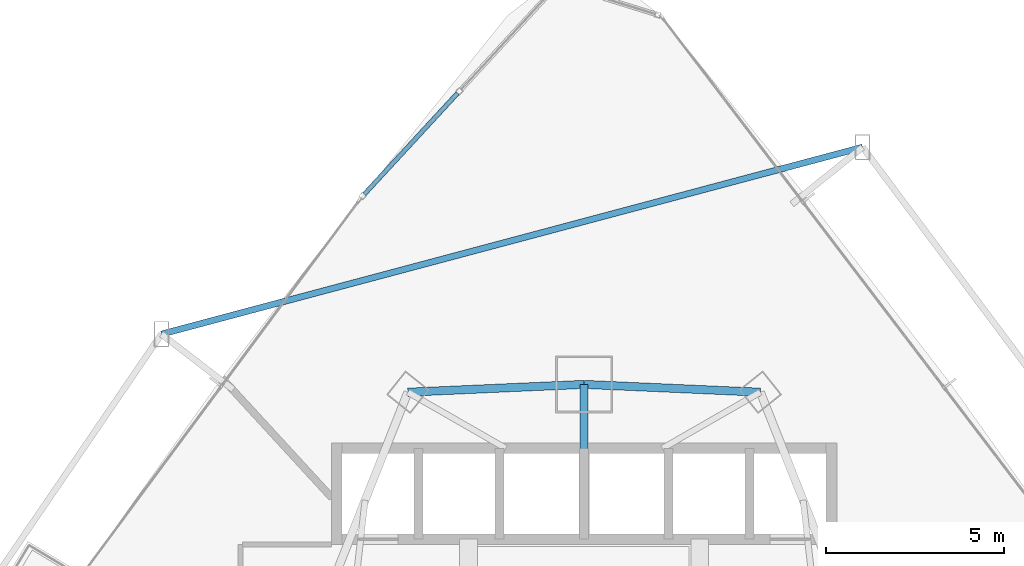
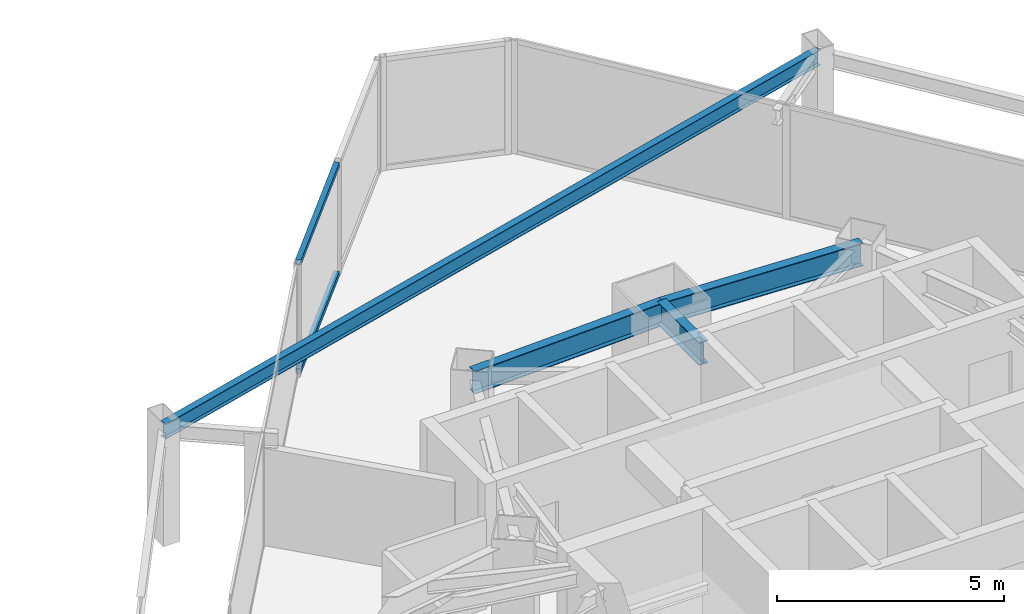
# One storey, part 24 of 35: 4 beams, 2 members, 1 element without a shape of its own.
"""IFC4 building model written with IfcOpenShell, lengths in metres."""

from ifc_helpers import new_model, si_unit, direction, frame, origin, origin_2d, place, context, subcontext, project, spatial, hollow_rectangle, i_section, extrude, material, layer, layer_set, material_profile, profile_set, type_object, element, aggregate, save


model = new_model("IFC4")

# Units and contexts
model_context = context("Model", 3, precision=1e-05, world=origin(), true_north=direction((0.0, 1.0)))
body_context = subcontext(model_context, "Body", "Model", "MODEL_VIEW")
ifc_project = project(units=[si_unit("LENGTHUNIT", "METRE"), si_unit("AREAUNIT", "SQUARE_METRE"), si_unit("VOLUMEUNIT", "CUBIC_METRE"), si_unit("PLANEANGLEUNIT", "RADIAN"), si_unit("MASSUNIT", "GRAM", prefix="KILO")], contexts=[model_context])

# Site, building, storey
site_placement = place(None, origin())
site = spatial("IfcSite", under=ifc_project, at=site_placement, CompositionType="ELEMENT")
building_placement = place(site_placement, origin())
building = spatial("IfcBuilding", under=site, at=building_placement, Name="Orvanel Arch Residences", CompositionType="ELEMENT")
storey_placement = place(building_placement, frame((0.0, 0.0, 26.89990234375)))
storey = spatial("IfcBuildingStorey", under=building, at=storey_placement, Name="L06", CompositionType="ELEMENT", Elevation=26.89990234375)

# Beams
ifc_material_1 = material(Name="Structural steel AS/NZS 3679.1 Grade 300 (300 MPa)", Category="steel")
ifc_material_profile_1 = material_profile(ifc_material_1, i_section(OverallWidth=0.22900390625, OverallDepth=0.612060546875, WebThickness=0.011962890625, FlangeThickness=0.01953125, at=origin_2d()), Name="610UB125")
ifc_profile_set_1 = profile_set([ifc_material_profile_1], Name="Structural steel AS/NZS 3679.1 Grade 300 (300 MPa)")
beam_type_1 = type_object("IfcBeamType", Name="BG-610UB", PredefinedType="BEAM", material=ifc_profile_set_1)
beam_1_placement = place(storey_placement, frame((33.0, 39.550048828125, 2.754150390625), z_axis=(0.0, 1.0, 0.0), x_axis=(-1.0, 0.0, 0.0)))
element("IfcBeam", 1, at=beam_1_placement, inside=storey, type_object=beam_type_1, Name="L06 North Radial Girder", PredefinedType="BEAM", context=body_context, shape_type="SweptSolid", body=[
    extrude(i_section(OverallWidth=0.22900390625, OverallDepth=0.612060546875, WebThickness=0.011962890625, FlangeThickness=0.01953125, at=origin_2d()), origin(), (0.0, 0.0, 1.0), 1.847900390625),
])
ifc_material_profile_2 = material_profile(ifc_material_1, i_section(OverallWidth=0.177978515625, OverallDepth=0.406005859375, WebThickness=0.0078125, FlangeThickness=0.0126953125, at=origin_2d()), Name="410UB59.7")
ifc_profile_set_2 = profile_set([ifc_material_profile_2], Name="Structural steel AS/NZS 3679.1 Grade 300 (300 MPa)")
beam_type_2 = type_object("IfcBeamType", Name="OB-410UB-EXT", PredefinedType="SPANDREL", material=ifc_profile_set_2)
beam_2_placement = place(storey_placement, frame((40.822021484375, 48.05908203125, 2.857177734375), z_axis=(-0.966259586546, -0.257570206754, 0.0), x_axis=(0.257570206754, -0.966259586546, 0.0)))
element("IfcBeam", 2, at=beam_2_placement, inside=storey, type_object=beam_type_2, Name="L06 Outer Perimeter Floor Ring Beam 12", PredefinedType="SPANDREL", context=body_context, shape_type="SweptSolid", body=[
    extrude(i_section(OverallWidth=0.177978515625, OverallDepth=0.406005859375, WebThickness=0.0078125, FlangeThickness=0.0126953125, at=origin_2d()), origin(), (0.0, 0.0, 1.0), 20.3828125),
])
ifc_material_profile_3 = material_profile(ifc_material_1, i_section(OverallWidth=0.22900390625, OverallDepth=0.612060546875, WebThickness=0.011962890625, FlangeThickness=0.01953125, at=origin_2d()), Name="610UB125")
ifc_profile_set_3 = profile_set([ifc_material_profile_3], Name="Structural steel AS/NZS 3679.1 Grade 300 (300 MPa)")
beam_type_3 = type_object("IfcBeamType", Name="SP-610UB", PredefinedType="SPANDREL", material=ifc_profile_set_3)
for number, where, z_axis, x_axis, name in (
    (3, (37.949951171875, 41.177978515625, 2.754150390625), (-0.999014049296, 0.044395149614, 0.0), (-0.044395149614, -0.999014049296, 0.0), "L06 Perimeter Spandrel Beam 16"),
    (4, (33.0, 41.39794921875, 2.754150390625), (-0.999014049296, -0.044395149614, 0.0), (0.044395149614, -0.999014049296, 0.0), "L06 Perimeter Spandrel Beam 17"),
):
    element("IfcBeam", number, at=place(storey_placement, frame(where, z_axis=z_axis, x_axis=x_axis)), inside=storey, type_object=beam_type_3, Name=name, PredefinedType="SPANDREL", context=body_context, shape_type="SweptSolid", body=[
        extrude(i_section(OverallWidth=0.22900390625, OverallDepth=0.612060546875, WebThickness=0.011962890625, FlangeThickness=0.01953125, at=origin_2d()), origin(), (0.0, 0.0, 1.0), 4.954833984375),
    ])

# Curtain wall, members
ifc_material_2 = material(Name="Bronze-anodised aluminium AA6063-T6", Category="aluminium")
ifc_layer = layer(ifc_material_2, 0.18994140625)
ifc_layer_set = layer_set([ifc_layer], Name="Bronze-anodised aluminium AA6063-T6")
curtain_wall_type = type_object("IfcCurtainWallType", Name="CW5-CRN-SYS", PredefinedType="NOTDEFINED", material=ifc_layer_set)
curtain_wall_placement = place(storey_placement, origin())
curtain_wall = element("IfcCurtainWall", 5, at=curtain_wall_placement, inside=storey, type_object=curtain_wall_type, Name="L06 CW5-CRN-SYS Unitised Curtain Wall", PredefinedType="NOTDEFINED")
ifc_material_profile_4 = material_profile(ifc_material_2, hollow_rectangle(XDim=0.1298828125, YDim=0.1298828125, WallThickness=0.00439453125, at=origin_2d()), Name="ALU130x130x4.5")
ifc_profile_set_4 = profile_set([ifc_material_profile_4], Name="Bronze-anodised aluminium AA6063-T6")
member_type = type_object("IfcMemberType", Name="TRN-130x130", PredefinedType="USERDEFINED", material=ifc_profile_set_4)
member_1_placement = place(storey_placement, frame((29.444580078125, 49.574462890625, 0.065185546875), z_axis=(-0.678393082781, -0.734699139264, 0.0), x_axis=(0.734699139264, -0.678393082781, 0.0)))
member_1 = element("IfcMember", 6, at=member_1_placement, type_object=member_type, Name="CW-S5 transom 2.1", ObjectType="TRANSOM", PredefinedType="USERDEFINED", context=body_context, shape_type="SweptSolid", body=[
    extrude(hollow_rectangle(XDim=0.1298828125, YDim=0.1298828125, WallThickness=0.00439453125, at=origin_2d()), origin(), (0.0, 0.0, 1.0), 3.85888671875),
])
member_2_placement = place(storey_placement, frame((29.444580078125, 49.574462890625, 2.9951171875), z_axis=(-0.678393082781, -0.734699139264, 0.0), x_axis=(0.734699139264, -0.678393082781, 0.0)))
member_2 = element("IfcMember", 7, at=member_2_placement, type_object=member_type, Name="CW-S5 transom 2.2", ObjectType="TRANSOM", PredefinedType="USERDEFINED", context=body_context, shape_type="SweptSolid", body=[
    extrude(hollow_rectangle(XDim=0.1298828125, YDim=0.1298828125, WallThickness=0.00439453125, at=origin_2d()), origin(), (0.0, 0.0, 1.0), 3.85888671875),
])
aggregate(curtain_wall, [member_1, member_2])

save(model, "model.ifc")
